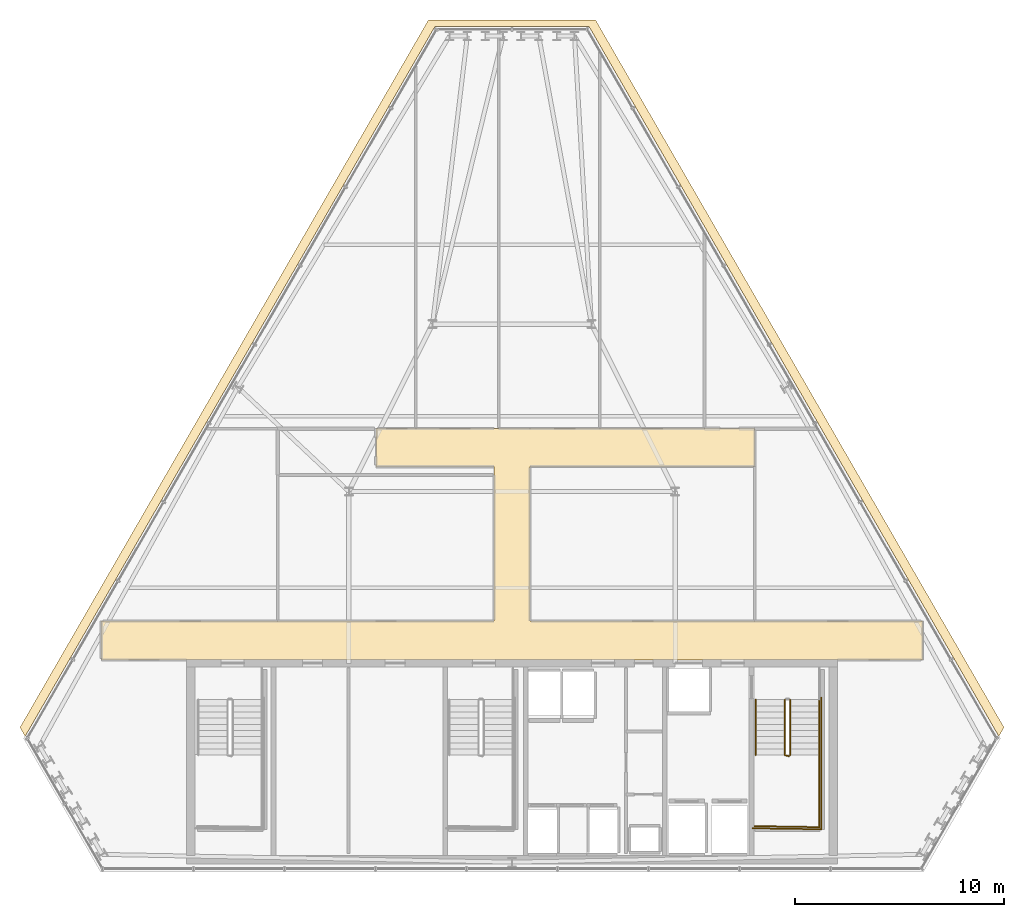
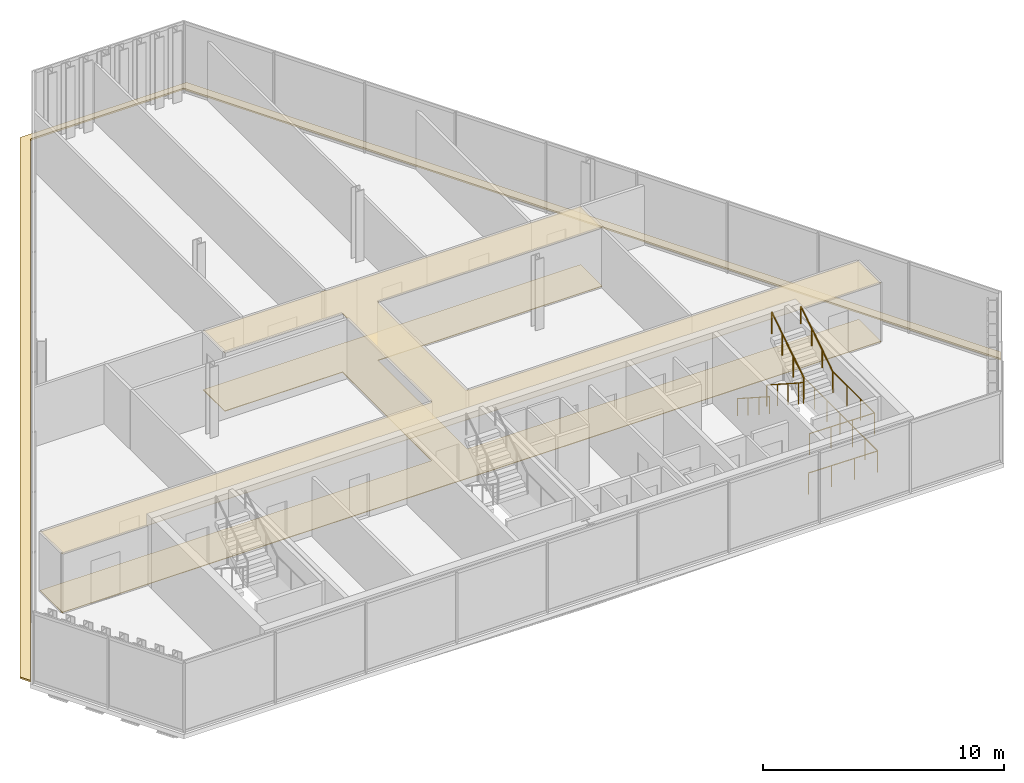
# One storey, part 28 of 29: 6 railings, 3 coverings.
"""IFC4 building model written with IfcOpenShell, lengths in metres."""

from ifc_helpers import new_model, si_unit, direction, frame, origin, origin_2d, place, context, subcontext, project, spatial, polyline, circle, outline, extrude, material, layer, layer_set, type_object, element, save


model = new_model("IFC4")

# Units and contexts
model_context = context("Model", 3, precision=1e-05, world=origin(), true_north=direction((0.0, 1.0)))
body_context = subcontext(model_context, "Body", "Model", "MODEL_VIEW")
ifc_project = project(units=[si_unit("LENGTHUNIT", "METRE"), si_unit("AREAUNIT", "SQUARE_METRE"), si_unit("VOLUMEUNIT", "CUBIC_METRE"), si_unit("PLANEANGLEUNIT", "RADIAN"), si_unit("MASSUNIT", "GRAM", prefix="KILO")], contexts=[model_context])

# Site, building, storey
site_placement = place(None, origin())
site = spatial("IfcSite", under=ifc_project, at=site_placement, CompositionType="ELEMENT")
building_placement = place(site_placement, origin())
building = spatial("IfcBuilding", under=site, at=building_placement, Name="Ndaravel Arena Tower", CompositionType="ELEMENT")
storey_placement = place(building_placement, frame((0.0, 0.0, 229.39990234375)))
storey = spatial("IfcBuildingStorey", under=building, at=storey_placement, Name="L55", CompositionType="ELEMENT", Elevation=229.39990234375)

# Coverings
ifc_material_1 = material(Name="Acoustic Ceiling Tile", Category="finish")
ifc_layer_1 = layer(ifc_material_1, 0.02490234375)
ifc_layer_set_1 = layer_set([ifc_layer_1], Name="Acoustic Ceiling Tile")
covering_type_1 = type_object("IfcCoveringType", Name="COV-CEIL-AC600", PredefinedType="CEILING", material=ifc_layer_set_1)
covering_1_placement = place(storey_placement, frame((0.0, 0.0, 2.980712890625)))
element("IfcCovering", 1, at=covering_1_placement, inside=storey, type_object=covering_type_1, Name="L55 Corridor Acoustic Ceiling", PredefinedType="CEILING", context=body_context, shape_type="SweptSolid", body=[
    extrude(outline(polyline([(61.6220703125, 17.0), (42.85009765625, 17.0), (42.85009765625, 24.39990234375), (53.60009765625, 24.39990234375), (53.60009765625, 26.199951171875), (42.85009765625, 26.199951171875), (41.14990234375, 26.199951171875), (35.5, 26.199951171875), (35.5, 24.39990234375), (41.14990234375, 24.39990234375), (41.14990234375, 17.0), (22.3779296875, 17.0), (22.3779296875, 15.14990234375), (61.6220703125, 15.14990234375), (61.6220703125, 17.0)])), origin(), (0.0, 0.0, 1.0), 0.02490234375),
])
ifc_material_2 = material(Name="Terrazzo", Category="stone")
ifc_layer_2 = layer(ifc_material_2, 0.030029296875)
ifc_layer_set_2 = layer_set([ifc_layer_2], Name="Terrazzo")
covering_type_2 = type_object("IfcCoveringType", Name="COV-FLOOR-TERRAZZO", PredefinedType="FLOORING", material=ifc_layer_set_2)
covering_2_placement = place(storey_placement, origin())
element("IfcCovering", 2, at=covering_2_placement, inside=storey, type_object=covering_type_2, Name="L55 Corridor Terrazzo Flooring", PredefinedType="FLOORING", context=body_context, shape_type="SweptSolid", body=[
    extrude(outline(polyline([(61.6220703125, 17.0), (42.85009765625, 17.0), (42.85009765625, 24.39990234375), (53.60009765625, 24.39990234375), (53.60009765625, 26.199951171875), (42.85009765625, 26.199951171875), (41.14990234375, 26.199951171875), (35.5, 26.199951171875), (35.5, 24.39990234375), (41.14990234375, 24.39990234375), (41.14990234375, 17.0), (22.3779296875, 17.0), (22.3779296875, 15.14990234375), (61.6220703125, 15.14990234375), (61.6220703125, 17.0)])), origin(), (0.0, 0.0, 1.0), 0.030029296875),
])
ifc_material_3 = material(Name="Roofing Membrane", Category="finish")
ifc_layer_3 = layer(ifc_material_3, 0.080078125)
ifc_layer_set_3 = layer_set([ifc_layer_3], Name="Roofing Membrane")
covering_type_3 = type_object("IfcCoveringType", Name="COV-ROOF-MEMB", PredefinedType="ROOFING", material=ifc_layer_set_3)
covering_3_placement = place(storey_placement, origin())
element("IfcCovering", 3, at=covering_3_placement, inside=storey, type_object=covering_type_3, Name="L55 Facet Setback Weathering Flashing", PredefinedType="ROOFING", context=body_context, shape_type="SweptSolid", body=[
    extrude(outline(polyline([(18.47998046875, 11.918212890625), (38.005859375, 45.73779296875), (45.994140625, 45.73779296875), (65.52001953125, 11.918212890625), (65.27392578125, 11.4921875), (45.6806640625, 45.428955078125), (38.3193359375, 45.428955078125), (18.72607421875, 11.4921875), (18.47998046875, 11.918212890625)])), origin(), (0.0, 0.0, 1.0), 0.080078125),
])

# Railings
ifc_material_4 = material(Name="Steel S355", Category="steel")
ifc_layer_4 = layer(ifc_material_4, 0.06005859375)
ifc_layer_set_4 = layer_set([ifc_layer_4], Name="Steel S355")
railing_type_1 = type_object("IfcRailingType", Name="RAIL-STAIR-GD1100", PredefinedType="GUARDRAIL", material=ifc_layer_set_4)
railing_1_placement = place(storey_placement, frame((55.050048828125, 13.25, 0.190185546875)))
element("IfcRailing", 4, at=railing_1_placement, inside=storey, type_object=railing_type_1, Name="L55 ST-3 stair guard 1", PredefinedType="GUARDRAIL", context=body_context, shape_type="SweptSolid", body=[
    extrude(circle(Radius=0.02392578125, at=origin_2d()), frame((0.0, 0.0, 1.076171875), z_axis=(0.0, -0.840723540582, 0.54146461409), x_axis=(1.0, 0.0, 0.0)), (0.0, 0.0, 1.0), 3.157958984375),
    extrude(circle(Radius=0.02392578125, at=origin_2d()), frame((0.0, -2.655029296875, 2.7861328125), z_axis=(0.966993988697, -0.254799187253, 0.0), x_axis=(0.254799187253, 0.966993988697, 0.0)), (0.0, 0.0, 1.0), 0.196533203125),
    extrude(circle(Radius=0.02099609375, at=origin_2d()), origin(), (0.0, 0.0, 1.0), 1.052001953125),
    extrude(circle(Radius=0.02099609375, at=origin_2d()), frame((0.0, -0.885009765625, 0.570068359375)), (0.0, 0.0, 1.0), 1.052001953125),
    extrude(circle(Radius=0.02099609375, at=origin_2d()), frame((0.0, -1.77001953125, 1.139892578125)), (0.0, 0.0, 1.0), 1.052001953125),
    extrude(circle(Radius=0.02099609375, at=origin_2d()), frame((0.0, -2.655029296875, 1.7099609375)), (0.0, 0.0, 1.0), 1.052001953125),
    extrude(circle(Radius=0.02099609375, at=origin_2d()), frame((0.18994140625, -2.705078125, 1.7099609375)), (0.0, 0.0, 1.0), 1.052001953125),
])
railing_2_placement = place(storey_placement, frame((56.68994140625, 10.594970703125, 1.900146484375)))
element("IfcRailing", 5, at=railing_2_placement, inside=storey, type_object=railing_type_1, Name="L55 ST-3 stair guard 2", PredefinedType="GUARDRAIL", context=body_context, shape_type="SweptSolid", body=[
    extrude(circle(Radius=0.02392578125, at=origin_2d()), frame((0.0, 0.0, 1.076171875), z_axis=(0.0, -1.0, 0.0), x_axis=(1.0, 0.0, 0.0)), (0.0, 0.0, 1.0), 3.445068359375),
    extrude(circle(Radius=0.02392578125, at=origin_2d()), frame((0.0, -3.445068359375, 1.076171875), z_axis=(-0.999868840623, 0.016195726322, 0.0), x_axis=(-0.016195726322, -0.999868840623, 0.0)), (0.0, 0.0, 1.0), 3.09033203125),
    extrude(circle(Radius=0.02099609375, at=origin_2d()), origin(), (0.0, 0.0, 1.0), 1.052001953125),
    extrude(circle(Radius=0.02099609375, at=origin_2d()), frame((0.0, -1.1484375, 0.0)), (0.0, 0.0, 1.0), 1.052001953125),
    extrude(circle(Radius=0.02099609375, at=origin_2d()), frame((0.0, -2.296630859375, 0.0)), (0.0, 0.0, 1.0), 1.052001953125),
    extrude(circle(Radius=0.02099609375, at=origin_2d()), frame((0.0, -3.445068359375, 0.0)), (0.0, 0.0, 1.0), 1.052001953125),
    extrude(circle(Radius=0.02099609375, at=origin_2d()), frame((-1.030029296875, -3.428466796875, 0.0)), (0.0, 0.0, 1.0), 1.052001953125),
    extrude(circle(Radius=0.02099609375, at=origin_2d()), frame((-2.059814453125, -3.41162109375, 0.0)), (0.0, 0.0, 1.0), 1.052001953125),
    extrude(circle(Radius=0.02099609375, at=origin_2d()), frame((-3.08984375, -3.39501953125, 0.0)), (0.0, 0.0, 1.0), 1.052001953125),
])
railing_3_placement = place(storey_placement, frame((55.2900390625, 10.594970703125, 2.090087890625)))
element("IfcRailing", 6, at=railing_3_placement, inside=storey, type_object=railing_type_1, Name="L55 ST-3 stair guard 3", PredefinedType="GUARDRAIL", context=body_context, shape_type="SweptSolid", body=[
    extrude(circle(Radius=0.02392578125, at=origin_2d()), frame((0.0, 0.0, 1.076171875), z_axis=(0.0, 0.840723540582, 0.54146461409), x_axis=(-1.0, 0.0, 0.0)), (0.0, 0.0, 1.0), 3.157958984375),
    extrude(circle(Radius=0.02099609375, at=origin_2d()), origin(), (0.0, 0.0, 1.0), 1.052001953125),
    extrude(circle(Radius=0.02099609375, at=origin_2d()), frame((0.0, 0.885009765625, 0.570068359375)), (0.0, 0.0, 1.0), 1.052001953125),
    extrude(circle(Radius=0.02099609375, at=origin_2d()), frame((0.0, 1.77001953125, 1.139892578125)), (0.0, 0.0, 1.0), 1.052001953125),
    extrude(circle(Radius=0.02099609375, at=origin_2d()), frame((0.0, 2.655029296875, 1.7099609375)), (0.0, 0.0, 1.0), 1.052001953125),
])
railing_4_placement = place(storey_placement, frame((56.7900390625, 13.35009765625, 0.0)))
element("IfcRailing", 7, at=railing_4_placement, inside=storey, type_object=railing_type_1, Name="L55 ST-3 stair guard 6", PredefinedType="GUARDRAIL", context=body_context, shape_type="SweptSolid", body=[
    extrude(circle(Radius=0.02392578125, at=origin_2d()), frame((0.0, 0.0, 1.076171875), z_axis=(0.0, -1.0, 0.0), x_axis=(1.0, 0.0, 0.0)), (0.0, 0.0, 1.0), 6.300048828125),
    extrude(circle(Radius=0.02392578125, at=origin_2d()), frame((0.0, -6.300048828125, 1.076171875), z_axis=(-0.99988431412, 0.015210469308, 0.0), x_axis=(-0.015210469308, -0.99988431412, 0.0)), (0.0, 0.0, 1.0), 3.29052734375),
    extrude(circle(Radius=0.02099609375, at=origin_2d()), origin(), (0.0, 0.0, 1.0), 1.052001953125),
    extrude(circle(Radius=0.02099609375, at=origin_2d()), frame((0.0, -1.050048828125, 0.0)), (0.0, 0.0, 1.0), 1.052001953125),
    extrude(circle(Radius=0.02099609375, at=origin_2d()), frame((0.0, -2.10009765625, 0.0)), (0.0, 0.0, 1.0), 1.052001953125),
    extrude(circle(Radius=0.02099609375, at=origin_2d()), frame((0.0, -3.14990234375, 0.0)), (0.0, 0.0, 1.0), 1.052001953125),
    extrude(circle(Radius=0.02099609375, at=origin_2d()), frame((0.0, -4.199951171875, 0.0)), (0.0, 0.0, 1.0), 1.052001953125),
    extrude(circle(Radius=0.02099609375, at=origin_2d()), frame((0.0, -5.25, 0.0)), (0.0, 0.0, 1.0), 1.052001953125),
    extrude(circle(Radius=0.02099609375, at=origin_2d()), frame((0.0, -6.300048828125, 0.0)), (0.0, 0.0, 1.0), 1.052001953125),
    extrude(circle(Radius=0.02099609375, at=origin_2d()), frame((-1.0966796875, -6.283447265625, 0.0)), (0.0, 0.0, 1.0), 1.052001953125),
    extrude(circle(Radius=0.02099609375, at=origin_2d()), frame((-2.193359375, -6.2666015625, 0.0)), (0.0, 0.0, 1.0), 1.052001953125),
    extrude(circle(Radius=0.02099609375, at=origin_2d()), frame((-3.2900390625, -6.25, 0.0)), (0.0, 0.0, 1.0), 1.052001953125),
])
ifc_material_5 = material(Name="Steel S355", Category="steel")
ifc_layer_5 = layer(ifc_material_5, 0.050048828125)
ifc_layer_set_5 = layer_set([ifc_layer_5], Name="Steel S355")
railing_type_2 = type_object("IfcRailingType", Name="RAIL-STAIR-HR920", PredefinedType="HANDRAIL", material=ifc_layer_set_5)
railing_5_placement = place(storey_placement, frame((53.64990234375, 13.25, 0.190185546875)))
element("IfcRailing", 8, at=railing_5_placement, inside=storey, type_object=railing_type_2, Name="L55 ST-3 stair handrail 1", PredefinedType="HANDRAIL", context=body_context, shape_type="SweptSolid", body=[
    extrude(circle(Radius=0.02392578125, at=origin_2d()), frame((0.0, 0.0, 0.8759765625), z_axis=(0.0, -0.840723540582, 0.54146461409), x_axis=(1.0, 0.0, 0.0)), (0.0, 0.0, 1.0), 3.157958984375),
    extrude(circle(Radius=0.02099609375, at=origin_2d()), origin(), (0.0, 0.0, 1.0), 0.851806640625),
    extrude(circle(Radius=0.02099609375, at=origin_2d()), frame((0.0, -0.885009765625, 0.570068359375)), (0.0, 0.0, 1.0), 0.851806640625),
    extrude(circle(Radius=0.02099609375, at=origin_2d()), frame((0.0, -1.77001953125, 1.139892578125)), (0.0, 0.0, 1.0), 0.851806640625),
    extrude(circle(Radius=0.02099609375, at=origin_2d()), frame((0.0, -2.655029296875, 1.7099609375)), (0.0, 0.0, 1.0), 0.851806640625),
])
railing_6_placement = place(storey_placement, frame((56.68994140625, 10.594970703125, 2.090087890625)))
element("IfcRailing", 9, at=railing_6_placement, inside=storey, type_object=railing_type_2, Name="L55 ST-3 stair handrail 2", PredefinedType="HANDRAIL", context=body_context, shape_type="SweptSolid", body=[
    extrude(circle(Radius=0.02392578125, at=origin_2d()), frame((0.0, 0.0, 0.8759765625), z_axis=(0.0, 0.840723540582, 0.54146461409), x_axis=(-1.0, 0.0, 0.0)), (0.0, 0.0, 1.0), 3.157958984375),
    extrude(circle(Radius=0.02099609375, at=origin_2d()), origin(), (0.0, 0.0, 1.0), 0.851806640625),
    extrude(circle(Radius=0.02099609375, at=origin_2d()), frame((0.0, 0.885009765625, 0.570068359375)), (0.0, 0.0, 1.0), 0.851806640625),
    extrude(circle(Radius=0.02099609375, at=origin_2d()), frame((0.0, 1.77001953125, 1.139892578125)), (0.0, 0.0, 1.0), 0.851806640625),
    extrude(circle(Radius=0.02099609375, at=origin_2d()), frame((0.0, 2.655029296875, 1.7099609375)), (0.0, 0.0, 1.0), 0.851806640625),
])

save(model, "model.ifc")
